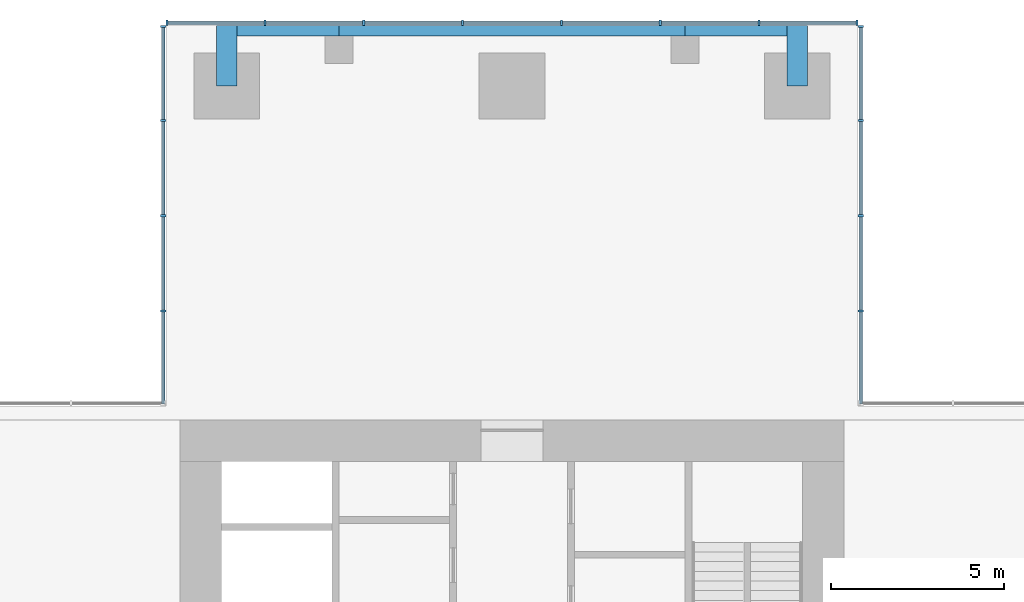
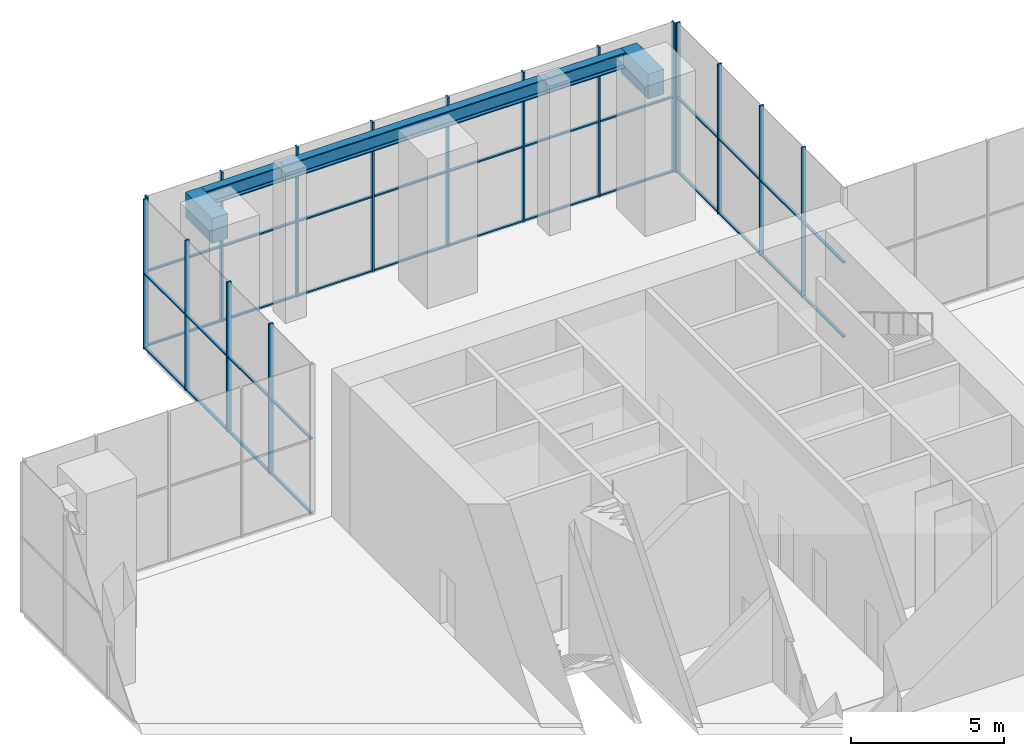
# One storey, part 6 of 11: 46 members, 5 beams, 3 elements without a shape of their own.
"""IFC4 building model written with IfcOpenShell, lengths in metres."""

from ifc_helpers import new_model, si_unit, direction, frame, origin, origin_2d, place, context, subcontext, project, spatial, rectangle, i_section, extrude, material, material_profile, profile_set, type_object, element, aggregate, save


model = new_model("IFC4")

# Units and contexts
model_context = context("Model", 3, precision=1e-05, world=origin(), true_north=direction((0.0, 1.0)))
body_context = subcontext(model_context, "Body", "Model", "MODEL_VIEW")
ifc_project = project(units=[si_unit("LENGTHUNIT", "METRE"), si_unit("AREAUNIT", "SQUARE_METRE"), si_unit("VOLUMEUNIT", "CUBIC_METRE"), si_unit("PLANEANGLEUNIT", "RADIAN"), si_unit("MASSUNIT", "GRAM", prefix="KILO")], contexts=[model_context])

# Site, building, storey
site_placement = place(None, origin())
site = spatial("IfcSite", under=ifc_project, at=site_placement, CompositionType="ELEMENT")
building_placement = place(site_placement, origin())
building = spatial("IfcBuilding", under=site, at=building_placement, Name="Svetlomir Tower", CompositionType="ELEMENT")
storey_placement = place(building_placement, frame((0.0, 0.0, 277.89990234375)))
storey = spatial("IfcBuildingStorey", under=building, at=storey_placement, Name="L66", CompositionType="ELEMENT", Elevation=277.89990234375)

# Curtain wall, members
ifc_material_1 = material(Name="Bronze anodised aluminium curtain wall", Category="aluminium")
curtain_wall_type = type_object("IfcCurtainWallType", Name="CURTAIN WALL CW6 LANTERN", PredefinedType="NOTDEFINED", material=ifc_material_1)
curtain_wall_1_placement = place(storey_placement, origin())
curtain_wall_1 = element("IfcCurtainWall", 1, at=curtain_wall_1_placement, inside=storey, type_object=curtain_wall_type, Name="Curtain wall CW6 L66", PredefinedType="NOTDEFINED")
ifc_material_2 = material(Name="Bronze anodised aluminium", Category="aluminium")
ifc_material_profile_1 = material_profile(ifc_material_2, rectangle(XDim=0.06005859375, YDim=0.159912109375, at=origin_2d()), Name="AL 60x160")
ifc_profile_set_1 = profile_set([ifc_material_profile_1], Name="Bronze anodised aluminium 6063-T6")
member_type_1 = type_object("IfcMemberType", Name="CW6 MULLION 60x160", PredefinedType="MULLION", material=ifc_profile_set_1)
member_1_placement = place(storey_placement, frame((31.080078125, 33.75, 0.0), z_axis=(0.0, 0.0, 1.0), x_axis=(0.0, 1.0, 0.0)))
member_1 = element("IfcMember", 2, at=member_1_placement, type_object=member_type_1, Name="CW6 mullion 2", PredefinedType="MULLION", context=body_context, shape_type="SweptSolid", body=[
    extrude(rectangle(XDim=0.06005859375, YDim=0.159912109375, at=origin_2d()), origin(), (0.0, 0.0, 1.0), 6.0),
])
member_2_placement = place(storey_placement, frame((31.080078125, 36.5, 0.0), z_axis=(0.0, 0.0, 1.0), x_axis=(0.0, 1.0, 0.0)))
member_2 = element("IfcMember", 3, at=member_2_placement, type_object=member_type_1, Name="CW6 mullion 3", PredefinedType="MULLION", context=body_context, shape_type="SweptSolid", body=[
    extrude(rectangle(XDim=0.06005859375, YDim=0.159912109375, at=origin_2d()), origin(), (0.0, 0.0, 1.0), 6.0),
])
member_3_placement = place(storey_placement, frame((31.080078125, 39.25, 0.0), z_axis=(0.0, 0.0, 1.0), x_axis=(0.0, 1.0, 0.0)))
member_3 = element("IfcMember", 4, at=member_3_placement, type_object=member_type_1, Name="CW6 mullion 4", PredefinedType="MULLION", context=body_context, shape_type="SweptSolid", body=[
    extrude(rectangle(XDim=0.06005859375, YDim=0.159912109375, at=origin_2d()), origin(), (0.0, 0.0, 1.0), 6.0),
])
member_4_placement = place(storey_placement, frame((31.080078125, 41.969970703125, 0.0), z_axis=(0.0, 0.0, 1.0), x_axis=(0.0, 1.0, 0.0)))
member_4 = element("IfcMember", 5, at=member_4_placement, type_object=member_type_1, Name="CW6 mullion 5", PredefinedType="MULLION", context=body_context, shape_type="SweptSolid", body=[
    extrude(rectangle(XDim=0.06005859375, YDim=0.159912109375, at=origin_2d()), origin(), (0.0, 0.0, 1.0), 6.0),
])

curtain_wall_2_placement = place(storey_placement, origin())
curtain_wall_2 = element("IfcCurtainWall", 6, at=curtain_wall_2_placement, inside=storey, type_object=curtain_wall_type, Name="Curtain wall CW6 L66", PredefinedType="NOTDEFINED")
member_5_placement = place(storey_placement, frame((30.969970703125, 42.080078125, 0.0), z_axis=(0.0, 0.0, 1.0), x_axis=(-1.0, 0.0, 0.0)))
member_5 = element("IfcMember", 7, at=member_5_placement, type_object=member_type_1, Name="CW6 mullion 1", PredefinedType="MULLION", context=body_context, shape_type="SweptSolid", body=[
    extrude(rectangle(XDim=0.06005859375, YDim=0.159912109375, at=origin_2d()), origin(), (0.0, 0.0, 1.0), 6.0),
])
member_6_placement = place(storey_placement, frame((28.142822265625, 42.080078125, 0.0), z_axis=(0.0, 0.0, 1.0), x_axis=(-1.0, 0.0, 0.0)))
member_6 = element("IfcMember", 8, at=member_6_placement, type_object=member_type_1, Name="CW6 mullion 2", PredefinedType="MULLION", context=body_context, shape_type="SweptSolid", body=[
    extrude(rectangle(XDim=0.06005859375, YDim=0.159912109375, at=origin_2d()), origin(), (0.0, 0.0, 1.0), 6.0),
])
member_7_placement = place(storey_placement, frame((25.28564453125, 42.080078125, 0.0), z_axis=(0.0, 0.0, 1.0), x_axis=(-1.0, 0.0, 0.0)))
member_7 = element("IfcMember", 9, at=member_7_placement, type_object=member_type_1, Name="CW6 mullion 3", PredefinedType="MULLION", context=body_context, shape_type="SweptSolid", body=[
    extrude(rectangle(XDim=0.06005859375, YDim=0.159912109375, at=origin_2d()), origin(), (0.0, 0.0, 1.0), 6.0),
])
member_8_placement = place(storey_placement, frame((22.428466796875, 42.080078125, 0.0), z_axis=(0.0, 0.0, 1.0), x_axis=(-1.0, 0.0, 0.0)))
member_8 = element("IfcMember", 10, at=member_8_placement, type_object=member_type_1, Name="CW6 mullion 4", PredefinedType="MULLION", context=body_context, shape_type="SweptSolid", body=[
    extrude(rectangle(XDim=0.06005859375, YDim=0.159912109375, at=origin_2d()), origin(), (0.0, 0.0, 1.0), 6.0),
])
member_9_placement = place(storey_placement, frame((19.571533203125, 42.080078125, 0.0), z_axis=(0.0, 0.0, 1.0), x_axis=(-1.0, 0.0, 0.0)))
member_9 = element("IfcMember", 11, at=member_9_placement, type_object=member_type_1, Name="CW6 mullion 5", PredefinedType="MULLION", context=body_context, shape_type="SweptSolid", body=[
    extrude(rectangle(XDim=0.06005859375, YDim=0.159912109375, at=origin_2d()), origin(), (0.0, 0.0, 1.0), 6.0),
])
member_10_placement = place(storey_placement, frame((16.71435546875, 42.080078125, 0.0), z_axis=(0.0, 0.0, 1.0), x_axis=(-1.0, 0.0, 0.0)))
member_10 = element("IfcMember", 12, at=member_10_placement, type_object=member_type_1, Name="CW6 mullion 6", PredefinedType="MULLION", context=body_context, shape_type="SweptSolid", body=[
    extrude(rectangle(XDim=0.06005859375, YDim=0.159912109375, at=origin_2d()), origin(), (0.0, 0.0, 1.0), 6.0),
])
member_11_placement = place(storey_placement, frame((13.857177734375, 42.080078125, 0.0), z_axis=(0.0, 0.0, 1.0), x_axis=(-1.0, 0.0, 0.0)))
member_11 = element("IfcMember", 13, at=member_11_placement, type_object=member_type_1, Name="CW6 mullion 7", PredefinedType="MULLION", context=body_context, shape_type="SweptSolid", body=[
    extrude(rectangle(XDim=0.06005859375, YDim=0.159912109375, at=origin_2d()), origin(), (0.0, 0.0, 1.0), 6.0),
])
member_12_placement = place(storey_placement, frame((11.030029296875, 42.080078125, 0.0), z_axis=(0.0, 0.0, 1.0), x_axis=(-1.0, 0.0, 0.0)))
member_12 = element("IfcMember", 14, at=member_12_placement, type_object=member_type_1, Name="CW6 mullion 8", PredefinedType="MULLION", context=body_context, shape_type="SweptSolid", body=[
    extrude(rectangle(XDim=0.06005859375, YDim=0.159912109375, at=origin_2d()), origin(), (0.0, 0.0, 1.0), 6.0),
])

curtain_wall_3_placement = place(storey_placement, origin())
curtain_wall_3 = element("IfcCurtainWall", 15, at=curtain_wall_3_placement, inside=storey, type_object=curtain_wall_type, Name="Curtain wall CW6 L66", PredefinedType="NOTDEFINED")
member_13_placement = place(storey_placement, frame((10.919921875, 41.969970703125, 0.0), z_axis=(0.0, 0.0, 1.0), x_axis=(0.0, -1.0, 0.0)))
member_13 = element("IfcMember", 16, at=member_13_placement, type_object=member_type_1, Name="CW6 mullion 1", PredefinedType="MULLION", context=body_context, shape_type="SweptSolid", body=[
    extrude(rectangle(XDim=0.06005859375, YDim=0.159912109375, at=origin_2d()), origin(), (0.0, 0.0, 1.0), 6.0),
])
member_14_placement = place(storey_placement, frame((10.919921875, 39.25, 0.0), z_axis=(0.0, 0.0, 1.0), x_axis=(0.0, -1.0, 0.0)))
member_14 = element("IfcMember", 17, at=member_14_placement, type_object=member_type_1, Name="CW6 mullion 2", PredefinedType="MULLION", context=body_context, shape_type="SweptSolid", body=[
    extrude(rectangle(XDim=0.06005859375, YDim=0.159912109375, at=origin_2d()), origin(), (0.0, 0.0, 1.0), 6.0),
])
member_15_placement = place(storey_placement, frame((10.919921875, 36.5, 0.0), z_axis=(0.0, 0.0, 1.0), x_axis=(0.0, -1.0, 0.0)))
member_15 = element("IfcMember", 18, at=member_15_placement, type_object=member_type_1, Name="CW6 mullion 3", PredefinedType="MULLION", context=body_context, shape_type="SweptSolid", body=[
    extrude(rectangle(XDim=0.06005859375, YDim=0.159912109375, at=origin_2d()), origin(), (0.0, 0.0, 1.0), 6.0),
])
member_16_placement = place(storey_placement, frame((10.919921875, 33.75, 0.0), z_axis=(0.0, 0.0, 1.0), x_axis=(0.0, -1.0, 0.0)))
member_16 = element("IfcMember", 19, at=member_16_placement, type_object=member_type_1, Name="CW6 mullion 4", PredefinedType="MULLION", context=body_context, shape_type="SweptSolid", body=[
    extrude(rectangle(XDim=0.06005859375, YDim=0.159912109375, at=origin_2d()), origin(), (0.0, 0.0, 1.0), 6.0),
])

# Member
ifc_material_3 = material(Name="Bronze anodised aluminium", Category="aluminium")
ifc_material_profile_2 = material_profile(ifc_material_3, rectangle(XDim=0.10009765625, YDim=0.06005859375, at=origin_2d()), Name="AL 100x60")
ifc_profile_set_2 = profile_set([ifc_material_profile_2], Name="Bronze anodised aluminium 6063-T6")
member_type_2 = type_object("IfcMemberType", Name="CW6 TRANSOM 60x100", PredefinedType="USERDEFINED", material=ifc_profile_set_2)
member_17_placement = place(storey_placement, frame((31.080078125, 31.06005859375, 0.030029296875), z_axis=(0.0, 1.0, 0.0), x_axis=(-1.0, 0.0, 0.0)))
member_17 = element("IfcMember", 20, at=member_17_placement, type_object=member_type_2, Name="CW6 transom 1.1", ObjectType="TRANSOM", PredefinedType="USERDEFINED", context=body_context, shape_type="SweptSolid", body=[
    extrude(rectangle(XDim=0.10009765625, YDim=0.06005859375, at=origin_2d()), origin(), (0.0, 0.0, 1.0), 2.659912109375),
])

member_18_placement = place(storey_placement, frame((31.080078125, 31.06005859375, 3.0), z_axis=(0.0, 1.0, 0.0), x_axis=(-1.0, 0.0, 0.0)))
member_18 = element("IfcMember", 21, at=member_18_placement, type_object=member_type_2, Name="CW6 transom 1.2", ObjectType="TRANSOM", PredefinedType="USERDEFINED", context=body_context, shape_type="SweptSolid", body=[
    extrude(rectangle(XDim=0.10009765625, YDim=0.06005859375, at=origin_2d()), origin(), (0.0, 0.0, 1.0), 2.659912109375),
])

member_19_placement = place(storey_placement, frame((31.080078125, 33.780029296875, 0.030029296875), z_axis=(0.0, 1.0, 0.0), x_axis=(-1.0, 0.0, 0.0)))
member_19 = element("IfcMember", 22, at=member_19_placement, type_object=member_type_2, Name="CW6 transom 2.1", ObjectType="TRANSOM", PredefinedType="USERDEFINED", context=body_context, shape_type="SweptSolid", body=[
    extrude(rectangle(XDim=0.10009765625, YDim=0.06005859375, at=origin_2d()), origin(), (0.0, 0.0, 1.0), 2.68994140625),
])

member_20_placement = place(storey_placement, frame((31.080078125, 33.780029296875, 3.0), z_axis=(0.0, 1.0, 0.0), x_axis=(-1.0, 0.0, 0.0)))
member_20 = element("IfcMember", 23, at=member_20_placement, type_object=member_type_2, Name="CW6 transom 2.2", ObjectType="TRANSOM", PredefinedType="USERDEFINED", context=body_context, shape_type="SweptSolid", body=[
    extrude(rectangle(XDim=0.10009765625, YDim=0.06005859375, at=origin_2d()), origin(), (0.0, 0.0, 1.0), 2.68994140625),
])

member_21_placement = place(storey_placement, frame((31.080078125, 36.530029296875, 0.030029296875), z_axis=(0.0, 1.0, 0.0), x_axis=(-1.0, 0.0, 0.0)))
member_21 = element("IfcMember", 24, at=member_21_placement, type_object=member_type_2, Name="CW6 transom 3.1", ObjectType="TRANSOM", PredefinedType="USERDEFINED", context=body_context, shape_type="SweptSolid", body=[
    extrude(rectangle(XDim=0.10009765625, YDim=0.06005859375, at=origin_2d()), origin(), (0.0, 0.0, 1.0), 2.68994140625),
])

member_22_placement = place(storey_placement, frame((31.080078125, 36.530029296875, 3.0), z_axis=(0.0, 1.0, 0.0), x_axis=(-1.0, 0.0, 0.0)))
member_22 = element("IfcMember", 25, at=member_22_placement, type_object=member_type_2, Name="CW6 transom 3.2", ObjectType="TRANSOM", PredefinedType="USERDEFINED", context=body_context, shape_type="SweptSolid", body=[
    extrude(rectangle(XDim=0.10009765625, YDim=0.06005859375, at=origin_2d()), origin(), (0.0, 0.0, 1.0), 2.68994140625),
])

member_23_placement = place(storey_placement, frame((31.080078125, 39.280029296875, 0.030029296875), z_axis=(0.0, 1.0, 0.0), x_axis=(-1.0, 0.0, 0.0)))
member_23 = element("IfcMember", 26, at=member_23_placement, type_object=member_type_2, Name="CW6 transom 4.1", ObjectType="TRANSOM", PredefinedType="USERDEFINED", context=body_context, shape_type="SweptSolid", body=[
    extrude(rectangle(XDim=0.10009765625, YDim=0.06005859375, at=origin_2d()), origin(), (0.0, 0.0, 1.0), 2.659912109375),
])

member_24_placement = place(storey_placement, frame((31.080078125, 39.280029296875, 3.0), z_axis=(0.0, 1.0, 0.0), x_axis=(-1.0, 0.0, 0.0)))
member_24 = element("IfcMember", 27, at=member_24_placement, type_object=member_type_2, Name="CW6 transom 4.2", ObjectType="TRANSOM", PredefinedType="USERDEFINED", context=body_context, shape_type="SweptSolid", body=[
    extrude(rectangle(XDim=0.10009765625, YDim=0.06005859375, at=origin_2d()), origin(), (0.0, 0.0, 1.0), 2.659912109375),
])

aggregate(curtain_wall_1, [member_1, member_2, member_3, member_4, member_17, member_18, member_19, member_20, member_21, member_22, member_23, member_24])

member_25_placement = place(storey_placement, frame((30.93994140625, 42.080078125, 0.030029296875), z_axis=(-1.0, 0.0, 0.0), x_axis=(0.0, -1.0, 0.0)))
member_25 = element("IfcMember", 28, at=member_25_placement, type_object=member_type_2, Name="CW6 transom 1.1", ObjectType="TRANSOM", PredefinedType="USERDEFINED", context=body_context, shape_type="SweptSolid", body=[
    extrude(rectangle(XDim=0.10009765625, YDim=0.06005859375, at=origin_2d()), origin(), (0.0, 0.0, 1.0), 2.76708984375),
])

member_26_placement = place(storey_placement, frame((30.93994140625, 42.080078125, 3.0), z_axis=(-1.0, 0.0, 0.0), x_axis=(0.0, -1.0, 0.0)))
member_26 = element("IfcMember", 29, at=member_26_placement, type_object=member_type_2, Name="CW6 transom 1.2", ObjectType="TRANSOM", PredefinedType="USERDEFINED", context=body_context, shape_type="SweptSolid", body=[
    extrude(rectangle(XDim=0.10009765625, YDim=0.06005859375, at=origin_2d()), origin(), (0.0, 0.0, 1.0), 2.76708984375),
])

member_27_placement = place(storey_placement, frame((28.11279296875, 42.080078125, 0.030029296875), z_axis=(-1.0, 0.0, 0.0), x_axis=(0.0, -1.0, 0.0)))
member_27 = element("IfcMember", 30, at=member_27_placement, type_object=member_type_2, Name="CW6 transom 2.1", ObjectType="TRANSOM", PredefinedType="USERDEFINED", context=body_context, shape_type="SweptSolid", body=[
    extrude(rectangle(XDim=0.10009765625, YDim=0.06005859375, at=origin_2d()), origin(), (0.0, 0.0, 1.0), 2.797119140625),
])

member_28_placement = place(storey_placement, frame((28.11279296875, 42.080078125, 3.0), z_axis=(-1.0, 0.0, 0.0), x_axis=(0.0, -1.0, 0.0)))
member_28 = element("IfcMember", 31, at=member_28_placement, type_object=member_type_2, Name="CW6 transom 2.2", ObjectType="TRANSOM", PredefinedType="USERDEFINED", context=body_context, shape_type="SweptSolid", body=[
    extrude(rectangle(XDim=0.10009765625, YDim=0.06005859375, at=origin_2d()), origin(), (0.0, 0.0, 1.0), 2.797119140625),
])

member_29_placement = place(storey_placement, frame((25.255615234375, 42.080078125, 0.030029296875), z_axis=(-1.0, 0.0, 0.0), x_axis=(0.0, -1.0, 0.0)))
member_29 = element("IfcMember", 32, at=member_29_placement, type_object=member_type_2, Name="CW6 transom 3.1", ObjectType="TRANSOM", PredefinedType="USERDEFINED", context=body_context, shape_type="SweptSolid", body=[
    extrude(rectangle(XDim=0.10009765625, YDim=0.06005859375, at=origin_2d()), origin(), (0.0, 0.0, 1.0), 2.797119140625),
])

member_30_placement = place(storey_placement, frame((25.255615234375, 42.080078125, 3.0), z_axis=(-1.0, 0.0, 0.0), x_axis=(0.0, -1.0, 0.0)))
member_30 = element("IfcMember", 33, at=member_30_placement, type_object=member_type_2, Name="CW6 transom 3.2", ObjectType="TRANSOM", PredefinedType="USERDEFINED", context=body_context, shape_type="SweptSolid", body=[
    extrude(rectangle(XDim=0.10009765625, YDim=0.06005859375, at=origin_2d()), origin(), (0.0, 0.0, 1.0), 2.797119140625),
])

member_31_placement = place(storey_placement, frame((22.398681640625, 42.080078125, 0.030029296875), z_axis=(-1.0, 0.0, 0.0), x_axis=(0.0, -1.0, 0.0)))
member_31 = element("IfcMember", 34, at=member_31_placement, type_object=member_type_2, Name="CW6 transom 4.1", ObjectType="TRANSOM", PredefinedType="USERDEFINED", context=body_context, shape_type="SweptSolid", body=[
    extrude(rectangle(XDim=0.10009765625, YDim=0.06005859375, at=origin_2d()), origin(), (0.0, 0.0, 1.0), 2.79736328125),
])

member_32_placement = place(storey_placement, frame((22.398681640625, 42.080078125, 3.0), z_axis=(-1.0, 0.0, 0.0), x_axis=(0.0, -1.0, 0.0)))
member_32 = element("IfcMember", 35, at=member_32_placement, type_object=member_type_2, Name="CW6 transom 4.2", ObjectType="TRANSOM", PredefinedType="USERDEFINED", context=body_context, shape_type="SweptSolid", body=[
    extrude(rectangle(XDim=0.10009765625, YDim=0.06005859375, at=origin_2d()), origin(), (0.0, 0.0, 1.0), 2.79736328125),
])

member_33_placement = place(storey_placement, frame((19.54150390625, 42.080078125, 0.030029296875), z_axis=(-1.0, 0.0, 0.0), x_axis=(0.0, -1.0, 0.0)))
member_33 = element("IfcMember", 36, at=member_33_placement, type_object=member_type_2, Name="CW6 transom 5.1", ObjectType="TRANSOM", PredefinedType="USERDEFINED", context=body_context, shape_type="SweptSolid", body=[
    extrude(rectangle(XDim=0.10009765625, YDim=0.06005859375, at=origin_2d()), origin(), (0.0, 0.0, 1.0), 2.797119140625),
])

member_34_placement = place(storey_placement, frame((19.54150390625, 42.080078125, 3.0), z_axis=(-1.0, 0.0, 0.0), x_axis=(0.0, -1.0, 0.0)))
member_34 = element("IfcMember", 37, at=member_34_placement, type_object=member_type_2, Name="CW6 transom 5.2", ObjectType="TRANSOM", PredefinedType="USERDEFINED", context=body_context, shape_type="SweptSolid", body=[
    extrude(rectangle(XDim=0.10009765625, YDim=0.06005859375, at=origin_2d()), origin(), (0.0, 0.0, 1.0), 2.797119140625),
])

member_35_placement = place(storey_placement, frame((16.684326171875, 42.080078125, 0.030029296875), z_axis=(-1.0, 0.0, 0.0), x_axis=(0.0, -1.0, 0.0)))
member_35 = element("IfcMember", 38, at=member_35_placement, type_object=member_type_2, Name="CW6 transom 6.1", ObjectType="TRANSOM", PredefinedType="USERDEFINED", context=body_context, shape_type="SweptSolid", body=[
    extrude(rectangle(XDim=0.10009765625, YDim=0.06005859375, at=origin_2d()), origin(), (0.0, 0.0, 1.0), 2.797119140625),
])

member_36_placement = place(storey_placement, frame((16.684326171875, 42.080078125, 3.0), z_axis=(-1.0, 0.0, 0.0), x_axis=(0.0, -1.0, 0.0)))
member_36 = element("IfcMember", 39, at=member_36_placement, type_object=member_type_2, Name="CW6 transom 6.2", ObjectType="TRANSOM", PredefinedType="USERDEFINED", context=body_context, shape_type="SweptSolid", body=[
    extrude(rectangle(XDim=0.10009765625, YDim=0.06005859375, at=origin_2d()), origin(), (0.0, 0.0, 1.0), 2.797119140625),
])

member_37_placement = place(storey_placement, frame((13.8271484375, 42.080078125, 0.030029296875), z_axis=(-1.0, 0.0, 0.0), x_axis=(0.0, -1.0, 0.0)))
member_37 = element("IfcMember", 40, at=member_37_placement, type_object=member_type_2, Name="CW6 transom 7.1", ObjectType="TRANSOM", PredefinedType="USERDEFINED", context=body_context, shape_type="SweptSolid", body=[
    extrude(rectangle(XDim=0.10009765625, YDim=0.06005859375, at=origin_2d()), origin(), (0.0, 0.0, 1.0), 2.76708984375),
])

member_38_placement = place(storey_placement, frame((13.8271484375, 42.080078125, 3.0), z_axis=(-1.0, 0.0, 0.0), x_axis=(0.0, -1.0, 0.0)))
member_38 = element("IfcMember", 41, at=member_38_placement, type_object=member_type_2, Name="CW6 transom 7.2", ObjectType="TRANSOM", PredefinedType="USERDEFINED", context=body_context, shape_type="SweptSolid", body=[
    extrude(rectangle(XDim=0.10009765625, YDim=0.06005859375, at=origin_2d()), origin(), (0.0, 0.0, 1.0), 2.76708984375),
])

aggregate(curtain_wall_2, [member_5, member_6, member_7, member_8, member_9, member_10, member_11, member_12, member_25, member_26, member_27, member_28, member_29, member_30, member_31, member_32, member_33, member_34, member_35, member_36, member_37, member_38])

member_39_placement = place(storey_placement, frame((10.919921875, 41.93994140625, 0.030029296875), z_axis=(0.0, -1.0, 0.0), x_axis=(1.0, 0.0, 0.0)))
member_39 = element("IfcMember", 42, at=member_39_placement, type_object=member_type_2, Name="CW6 transom 1.1", ObjectType="TRANSOM", PredefinedType="USERDEFINED", context=body_context, shape_type="SweptSolid", body=[
    extrude(rectangle(XDim=0.10009765625, YDim=0.06005859375, at=origin_2d()), origin(), (0.0, 0.0, 1.0), 2.659912109375),
])

member_40_placement = place(storey_placement, frame((10.919921875, 41.93994140625, 3.0), z_axis=(0.0, -1.0, 0.0), x_axis=(1.0, 0.0, 0.0)))
member_40 = element("IfcMember", 43, at=member_40_placement, type_object=member_type_2, Name="CW6 transom 1.2", ObjectType="TRANSOM", PredefinedType="USERDEFINED", context=body_context, shape_type="SweptSolid", body=[
    extrude(rectangle(XDim=0.10009765625, YDim=0.06005859375, at=origin_2d()), origin(), (0.0, 0.0, 1.0), 2.659912109375),
])

member_41_placement = place(storey_placement, frame((10.919921875, 39.219970703125, 0.030029296875), z_axis=(0.0, -1.0, 0.0), x_axis=(1.0, 0.0, 0.0)))
member_41 = element("IfcMember", 44, at=member_41_placement, type_object=member_type_2, Name="CW6 transom 2.1", ObjectType="TRANSOM", PredefinedType="USERDEFINED", context=body_context, shape_type="SweptSolid", body=[
    extrude(rectangle(XDim=0.10009765625, YDim=0.06005859375, at=origin_2d()), origin(), (0.0, 0.0, 1.0), 2.68994140625),
])

member_42_placement = place(storey_placement, frame((10.919921875, 39.219970703125, 3.0), z_axis=(0.0, -1.0, 0.0), x_axis=(1.0, 0.0, 0.0)))
member_42 = element("IfcMember", 45, at=member_42_placement, type_object=member_type_2, Name="CW6 transom 2.2", ObjectType="TRANSOM", PredefinedType="USERDEFINED", context=body_context, shape_type="SweptSolid", body=[
    extrude(rectangle(XDim=0.10009765625, YDim=0.06005859375, at=origin_2d()), origin(), (0.0, 0.0, 1.0), 2.68994140625),
])

member_43_placement = place(storey_placement, frame((10.919921875, 36.469970703125, 0.030029296875), z_axis=(0.0, -1.0, 0.0), x_axis=(1.0, 0.0, 0.0)))
member_43 = element("IfcMember", 46, at=member_43_placement, type_object=member_type_2, Name="CW6 transom 3.1", ObjectType="TRANSOM", PredefinedType="USERDEFINED", context=body_context, shape_type="SweptSolid", body=[
    extrude(rectangle(XDim=0.10009765625, YDim=0.06005859375, at=origin_2d()), origin(), (0.0, 0.0, 1.0), 2.68994140625),
])

member_44_placement = place(storey_placement, frame((10.919921875, 36.469970703125, 3.0), z_axis=(0.0, -1.0, 0.0), x_axis=(1.0, 0.0, 0.0)))
member_44 = element("IfcMember", 47, at=member_44_placement, type_object=member_type_2, Name="CW6 transom 3.2", ObjectType="TRANSOM", PredefinedType="USERDEFINED", context=body_context, shape_type="SweptSolid", body=[
    extrude(rectangle(XDim=0.10009765625, YDim=0.06005859375, at=origin_2d()), origin(), (0.0, 0.0, 1.0), 2.68994140625),
])

member_45_placement = place(storey_placement, frame((10.919921875, 33.719970703125, 0.030029296875), z_axis=(0.0, -1.0, 0.0), x_axis=(1.0, 0.0, 0.0)))
member_45 = element("IfcMember", 48, at=member_45_placement, type_object=member_type_2, Name="CW6 transom 4.1", ObjectType="TRANSOM", PredefinedType="USERDEFINED", context=body_context, shape_type="SweptSolid", body=[
    extrude(rectangle(XDim=0.10009765625, YDim=0.06005859375, at=origin_2d()), origin(), (0.0, 0.0, 1.0), 2.659912109375),
])

member_46_placement = place(storey_placement, frame((10.919921875, 33.719970703125, 3.0), z_axis=(0.0, -1.0, 0.0), x_axis=(1.0, 0.0, 0.0)))
member_46 = element("IfcMember", 49, at=member_46_placement, type_object=member_type_2, Name="CW6 transom 4.2", ObjectType="TRANSOM", PredefinedType="USERDEFINED", context=body_context, shape_type="SweptSolid", body=[
    extrude(rectangle(XDim=0.10009765625, YDim=0.06005859375, at=origin_2d()), origin(), (0.0, 0.0, 1.0), 2.659912109375),
])

aggregate(curtain_wall_3, [member_13, member_14, member_15, member_16, member_39, member_40, member_41, member_42, member_43, member_44, member_45, member_46])

# Beams
ifc_material_4 = material(Name="Steel S355", Category="steel")
ifc_material_profile_3 = material_profile(ifc_material_4, i_section(OverallWidth=0.304931640625, OverallDepth=0.6201171875, WebThickness=0.02099609375, FlangeThickness=0.0400390625, FilletRadius=0.027099609375, at=origin_2d()), Name="HEM 600")
ifc_profile_set_3 = profile_set([ifc_material_profile_3], Name="Steel S355")
beam_type_1 = type_object("IfcBeamType", Name="EDGE BEAM HEM 600", PredefinedType="SPANDREL", material=ifc_profile_set_3)
beam_1_placement = place(storey_placement, frame((13.050048828125, 41.847412109375, 5.39013671875), z_axis=(1.0, 0.0, 0.0), x_axis=(0.0, 1.0, 0.0)))
element("IfcBeam", 50, at=beam_1_placement, inside=storey, type_object=beam_type_1, Name="Edge beam 11/42 to 16/42 under L67", PredefinedType="SPANDREL", context=body_context, shape_type="SweptSolid", body=[
    extrude(i_section(OverallWidth=0.304931640625, OverallDepth=0.6201171875, WebThickness=0.02099609375, FlangeThickness=0.0400390625, FilletRadius=0.027099609375, at=origin_2d()), origin(), (0.0, 0.0, 1.0), 2.949951171875),
])
beam_2_placement = place(storey_placement, frame((16.0, 41.847412109375, 5.39013671875), z_axis=(1.0, 0.0, 0.0), x_axis=(0.0, 1.0, 0.0)))
element("IfcBeam", 51, at=beam_2_placement, inside=storey, type_object=beam_type_1, Name="Edge beam 16/42 to 26/42 under L67", PredefinedType="SPANDREL", context=body_context, shape_type="SweptSolid", body=[
    extrude(i_section(OverallWidth=0.304931640625, OverallDepth=0.6201171875, WebThickness=0.02099609375, FlangeThickness=0.0400390625, FilletRadius=0.027099609375, at=origin_2d()), origin(), (0.0, 0.0, 1.0), 10.0),
])
beam_3_placement = place(storey_placement, frame((26.0, 41.847412109375, 5.39013671875), z_axis=(1.0, 0.0, 0.0), x_axis=(0.0, 1.0, 0.0)))
element("IfcBeam", 52, at=beam_3_placement, inside=storey, type_object=beam_type_1, Name="Edge beam 26/42 to 31/42 under L67", PredefinedType="SPANDREL", context=body_context, shape_type="SweptSolid", body=[
    extrude(i_section(OverallWidth=0.304931640625, OverallDepth=0.6201171875, WebThickness=0.02099609375, FlangeThickness=0.0400390625, FilletRadius=0.027099609375, at=origin_2d()), origin(), (0.0, 0.0, 1.0), 2.949951171875),
])
ifc_material_5 = material(Name="Concrete C60/75", Category="concrete")
ifc_material_profile_4 = material_profile(ifc_material_5, rectangle(XDim=0.60009765625, YDim=1.0, at=origin_2d()), Name="RC 600x1000")
ifc_profile_set_4 = profile_set([ifc_material_profile_4], Name="Concrete C60/75")
beam_type_2 = type_object("IfcBeamType", Name="EDGE LINK BEAM RC 600x1000", PredefinedType="BEAM", material=ifc_profile_set_4)
for number, where, z_axis, x_axis, name in (
    (53, (12.75, 40.25, 5.2001953125), (0.0, 1.0, 0.0), (-1.0, 0.0, 0.0), "Edge link beam N 11/42 under L67"),
    (54, (29.25, 40.25, 5.2001953125), (0.0, 1.0, 0.0), (-1.0, 0.0, 0.0), "Edge link beam N 31/42 under L67"),
):
    element("IfcBeam", number, at=place(storey_placement, frame(where, z_axis=z_axis, x_axis=x_axis)), inside=storey, type_object=beam_type_2, Name=name, PredefinedType="BEAM", context=body_context, shape_type="SweptSolid", body=[
        extrude(rectangle(XDim=0.60009765625, YDim=1.0, at=origin_2d()), origin(), (0.0, 0.0, 1.0), 1.75),
    ])

save(model, "model.ifc")
